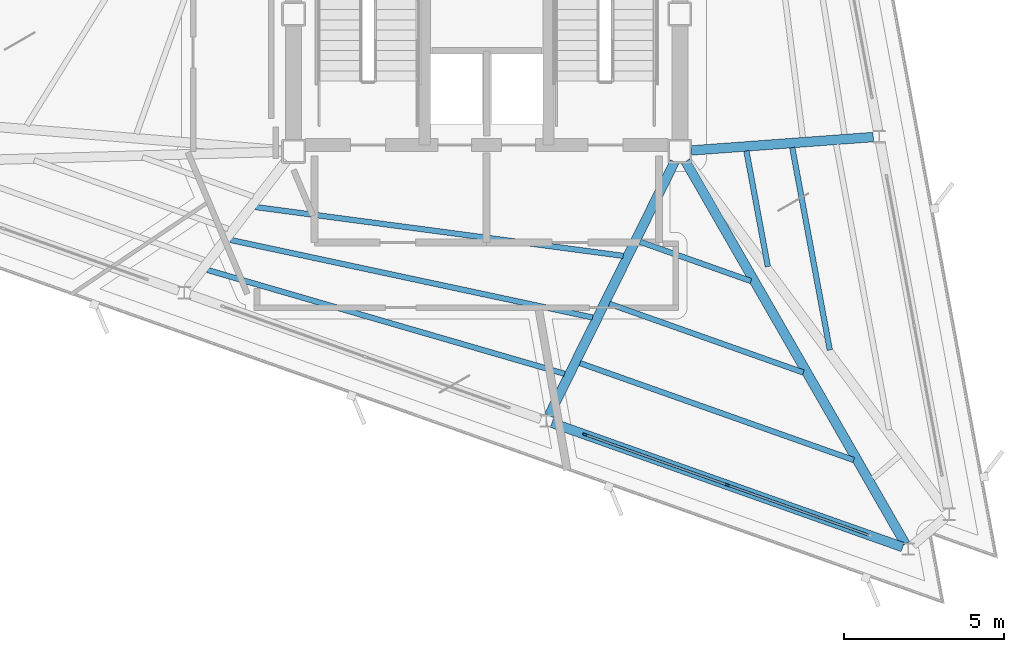
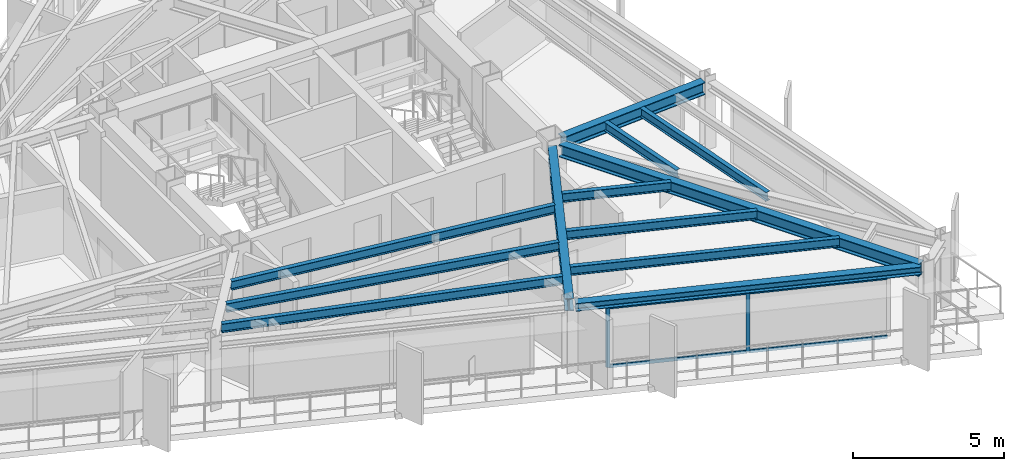
# One storey, part 3 of 14: 12 beams, 6 members, 1 element without a shape of its own.
"""IFC4 building model written with IfcOpenShell, lengths in metres."""

from ifc_helpers import new_model, si_unit, direction, frame, origin, origin_2d, place, context, subcontext, project, spatial, rectangle, i_section, extrude, material, layer, layer_set, material_profile, profile_set, type_object, element, aggregate, save


model = new_model("IFC4")

# Units and contexts
model_context = context("Model", 3, precision=1e-05, world=origin(), true_north=direction((0.0, 1.0)))
body_context = subcontext(model_context, "Body", "Model", "MODEL_VIEW")
ifc_project = project(units=[si_unit("LENGTHUNIT", "METRE"), si_unit("AREAUNIT", "SQUARE_METRE"), si_unit("VOLUMEUNIT", "CUBIC_METRE"), si_unit("PLANEANGLEUNIT", "RADIAN"), si_unit("MASSUNIT", "GRAM", prefix="KILO")], contexts=[model_context])

# Site, building, storey
site_placement = place(None, origin())
site = spatial("IfcSite", under=ifc_project, at=site_placement, CompositionType="ELEMENT")
building_placement = place(site_placement, origin())
building = spatial("IfcBuilding", under=site, at=building_placement, Name="Rocaltana Carrier Exchange", CompositionType="ELEMENT")
storey_placement = place(building_placement, frame((0.0, 0.0, 184.47998046875)))
storey = spatial("IfcBuildingStorey", under=building, at=storey_placement, Name="L58", CompositionType="ELEMENT", Elevation=184.47998046875)

# Curtain wall, members
ifc_material_1 = material(Name="Aluminium 6063-T6", Category="aluminium")
ifc_layer = layer(ifc_material_1, 0.135009765625)
ifc_layer_set = layer_set([ifc_layer], Name="Aluminium 6063-T6")
curtain_wall_type = type_object("IfcCurtainWallType", Name="Upper-Mid Acoustic Curtain Wall CW-04", PredefinedType="NOTDEFINED", material=ifc_layer_set)
curtain_wall_placement = place(storey_placement, origin())
curtain_wall = element("IfcCurtainWall", 1, at=curtain_wall_placement, inside=storey, type_object=curtain_wall_type, Name="L58 CW-04 Run CW-L58-F3S3", PredefinedType="NOTDEFINED")
ifc_material_2 = material(Name="Aluminium 6063-T6", Category="aluminium")
ifc_material_profile_1 = material_profile(ifc_material_2, rectangle(XDim=0.06494140625, YDim=0.135009765625, at=origin_2d()), Name="AL-65X135")
ifc_profile_set_1 = profile_set([ifc_material_profile_1], Name="Aluminium 6063-T6")
member_type_1 = type_object("IfcMemberType", Name="CW-04 Mullion AL-65X135", PredefinedType="MULLION", material=ifc_profile_set_1)
member_1_placement = place(storey_placement, frame((3.0771484375, -13.177001953125, 0.0), z_axis=(0.0, 0.0, 1.0), x_axis=(0.333798791936, 0.942644347833, 0.0)))
member_1 = element("IfcMember", 2, at=member_1_placement, type_object=member_type_1, Name="CW-04 mullion 1", PredefinedType="MULLION", context=body_context, shape_type="SweptSolid", body=[
    extrude(rectangle(XDim=0.06494140625, YDim=0.135009765625, at=origin_2d()), origin(), (0.0, 0.0, 1.0), 2.447998046875),
])
member_2_placement = place(storey_placement, frame((7.539794921875, -14.757080078125, 0.0), z_axis=(0.0, 0.0, 1.0), x_axis=(0.333798791936, 0.942644347833, 0.0)))
member_2 = element("IfcMember", 3, at=member_2_placement, type_object=member_type_1, Name="CW-04 mullion 2", PredefinedType="MULLION", context=body_context, shape_type="SweptSolid", body=[
    extrude(rectangle(XDim=0.06494140625, YDim=0.135009765625, at=origin_2d()), origin(), (0.0, 0.0, 1.0), 2.447998046875),
])
ifc_material_3 = material(Name="Aluminium 6063-T6", Category="aluminium")
ifc_material_profile_2 = material_profile(ifc_material_3, rectangle(XDim=0.06494140625, YDim=0.135009765625, at=origin_2d()), Name="AL-65X135")
ifc_profile_set_2 = profile_set([ifc_material_profile_2], Name="Aluminium 6063-T6")
member_type_2 = type_object("IfcMemberType", Name="CW-04 Transom AL-65X135", PredefinedType="USERDEFINED", material=ifc_profile_set_2)
member_3_placement = place(storey_placement, frame((3.107666015625, -13.187744140625, 0.032470703125), z_axis=(0.942642307572, -0.333804553558, 0.0), x_axis=(0.333804553558, 0.942642307572, 0.0)))
member_3 = element("IfcMember", 4, at=member_3_placement, type_object=member_type_2, Name="CW-04 transom 1.1", ObjectType="TRANSOM", PredefinedType="USERDEFINED", context=body_context, shape_type="SweptSolid", body=[
    extrude(rectangle(XDim=0.06494140625, YDim=0.135009765625, at=origin_2d()), origin(), (0.0, 0.0, 1.0), 4.669189453125),
])
member_4_placement = place(storey_placement, frame((3.107666015625, -13.187744140625, 2.41552734375), z_axis=(0.942642307572, -0.333804553558, 0.0), x_axis=(0.333804553558, 0.942642307572, 0.0)))
member_4 = element("IfcMember", 5, at=member_4_placement, type_object=member_type_2, Name="CW-04 transom 1.2", ObjectType="TRANSOM", PredefinedType="USERDEFINED", context=body_context, shape_type="SweptSolid", body=[
    extrude(rectangle(XDim=0.06494140625, YDim=0.135009765625, at=origin_2d()), origin(), (0.0, 0.0, 1.0), 4.669189453125),
])
member_5_placement = place(storey_placement, frame((7.5703125, -14.76806640625, 0.032470703125), z_axis=(0.942642307572, -0.333804553558, 0.0), x_axis=(0.333804553558, 0.942642307572, 0.0)))
member_5 = element("IfcMember", 6, at=member_5_placement, type_object=member_type_2, Name="CW-04 transom 2.1", ObjectType="TRANSOM", PredefinedType="USERDEFINED", context=body_context, shape_type="SweptSolid", body=[
    extrude(rectangle(XDim=0.06494140625, YDim=0.135009765625, at=origin_2d()), origin(), (0.0, 0.0, 1.0), 4.669189453125),
])
member_6_placement = place(storey_placement, frame((7.5703125, -14.76806640625, 2.41552734375), z_axis=(0.942642307572, -0.333804553558, 0.0), x_axis=(0.333804553558, 0.942642307572, 0.0)))
member_6 = element("IfcMember", 7, at=member_6_placement, type_object=member_type_2, Name="CW-04 transom 2.2", ObjectType="TRANSOM", PredefinedType="USERDEFINED", context=body_context, shape_type="SweptSolid", body=[
    extrude(rectangle(XDim=0.06494140625, YDim=0.135009765625, at=origin_2d()), origin(), (0.0, 0.0, 1.0), 4.669189453125),
])
aggregate(curtain_wall, [member_1, member_2, member_3, member_4, member_5, member_6])

# Beams
ifc_material_4 = material(Name="Steel S355", Category="steel")
ifc_material_profile_3 = material_profile(ifc_material_4, i_section(OverallWidth=0.172119140625, OverallDepth=0.35791015625, WebThickness=0.0078125, FlangeThickness=0.01318359375, FilletRadius=0.011962890625, at=origin_2d()), Name="W14X38")
ifc_profile_set_3 = profile_set([ifc_material_profile_3], Name="Steel S355")
beam_type_1 = type_object("IfcBeamType", Name="Floor Joist W14X38", PredefinedType="JOIST", material=ifc_profile_set_3)
beam_1_placement = place(storey_placement, frame((8.809814453125, -7.910888671875, 2.619140625), z_axis=(-0.182226934398, 0.98325649979, 0.0), x_axis=(-0.98325649979, -0.182226934398, 0.0)))
element("IfcBeam", 8, at=beam_1_placement, inside=storey, type_object=beam_type_1, Name="FJ-L58-01-1", PredefinedType="JOIST", context=body_context, shape_type="SweptSolid", body=[
    extrude(i_section(OverallWidth=0.172119140625, OverallDepth=0.35791015625, WebThickness=0.0078125, FlangeThickness=0.01318359375, FilletRadius=0.011962890625, at=origin_2d()), origin(), (0.0, 0.0, 1.0), 3.68310546875),
])
beam_2_placement = place(storey_placement, frame((10.751708984375, -10.5263671875, 2.619140625), z_axis=(-0.18226814906, 0.983248860583, 0.0), x_axis=(-0.983248860583, -0.18226814906, 0.0)))
element("IfcBeam", 9, at=beam_2_placement, inside=storey, type_object=beam_type_1, Name="FJ-L58-01-2", PredefinedType="JOIST", context=body_context, shape_type="SweptSolid", body=[
    extrude(i_section(OverallWidth=0.172119140625, OverallDepth=0.35791015625, WebThickness=0.0078125, FlangeThickness=0.01318359375, FilletRadius=0.011962890625, at=origin_2d()), origin(), (0.0, 0.0, 1.0), 6.450927734375),
])
beam_3_placement = place(storey_placement, frame((-7.242919921875, -6.04736328125, 2.619140625), z_axis=(0.991307721648, -0.131563676599, 0.0), x_axis=(0.131563676599, 0.991307721648, 0.0)))
element("IfcBeam", 10, at=beam_3_placement, inside=storey, type_object=beam_type_1, Name="FJ-L58-10-1", PredefinedType="JOIST", context=body_context, shape_type="SweptSolid", body=[
    extrude(i_section(OverallWidth=0.172119140625, OverallDepth=0.35791015625, WebThickness=0.0078125, FlangeThickness=0.01318359375, FilletRadius=0.011962890625, at=origin_2d()), origin(), (0.0, 0.0, 1.0), 11.620361328125),
])
beam_4_placement = place(storey_placement, frame((-8.03271484375, -7.077880859375, 2.619140625), z_axis=(0.977833801709, -0.209382559528, 0.0), x_axis=(0.209382559528, 0.977833801709, 0.0)))
element("IfcBeam", 11, at=beam_4_placement, inside=storey, type_object=beam_type_1, Name="FJ-L58-10-2", PredefinedType="JOIST", context=body_context, shape_type="SweptSolid", body=[
    extrude(i_section(OverallWidth=0.172119140625, OverallDepth=0.35791015625, WebThickness=0.0078125, FlangeThickness=0.01318359375, FilletRadius=0.011962890625, at=origin_2d()), origin(), (0.0, 0.0, 1.0), 11.6064453125),
])
beam_5_placement = place(storey_placement, frame((-8.75439453125, -8.018798828125, 2.619140625), z_axis=(0.960273483181, -0.279060634091, 0.0), x_axis=(0.279060634091, 0.960273483181, 0.0)))
element("IfcBeam", 12, at=beam_5_placement, inside=storey, type_object=beam_type_1, Name="FJ-L58-10-3", PredefinedType="JOIST", context=body_context, shape_type="SweptSolid", body=[
    extrude(i_section(OverallWidth=0.172119140625, OverallDepth=0.35791015625, WebThickness=0.0078125, FlangeThickness=0.01318359375, FilletRadius=0.011962890625, at=origin_2d()), origin(), (0.0, 0.0, 1.0), 11.658447265625),
])
beam_6_placement = place(storey_placement, frame((4.8056640625, -7.13623046875, 2.619140625), z_axis=(0.942660683234, -0.333752657344, 0.0), x_axis=(0.333752657344, 0.942660683234, 0.0)))
element("IfcBeam", 13, at=beam_6_placement, inside=storey, type_object=beam_type_1, Name="FJ-L58-11-1", PredefinedType="JOIST", context=body_context, shape_type="SweptSolid", body=[
    extrude(i_section(OverallWidth=0.172119140625, OverallDepth=0.35791015625, WebThickness=0.0078125, FlangeThickness=0.01318359375, FilletRadius=0.011962890625, at=origin_2d()), origin(), (0.0, 0.0, 1.0), 3.68310546875),
])
beam_7_placement = place(storey_placement, frame((3.843994140625, -9.079345703125, 2.619140625), z_axis=(0.942637646352, -0.333817716246, 0.0), x_axis=(0.333817716246, 0.942637646352, 0.0)))
element("IfcBeam", 14, at=beam_7_placement, inside=storey, type_object=beam_type_1, Name="FJ-L58-11-2", PredefinedType="JOIST", context=body_context, shape_type="SweptSolid", body=[
    extrude(i_section(OverallWidth=0.172119140625, OverallDepth=0.35791015625, WebThickness=0.0078125, FlangeThickness=0.01318359375, FilletRadius=0.011962890625, at=origin_2d()), origin(), (0.0, 0.0, 1.0), 6.45068359375),
])
beam_8_placement = place(storey_placement, frame((2.923828125, -10.93798828125, 2.619140625), z_axis=(0.942637076776, -0.333819324616, 0.0), x_axis=(0.333819324616, 0.942637076776, 0.0)))
element("IfcBeam", 15, at=beam_8_placement, inside=storey, type_object=beam_type_1, Name="FJ-L58-11-3", PredefinedType="JOIST", context=body_context, shape_type="SweptSolid", body=[
    extrude(i_section(OverallWidth=0.172119140625, OverallDepth=0.35791015625, WebThickness=0.0078125, FlangeThickness=0.01318359375, FilletRadius=0.011962890625, at=origin_2d()), origin(), (0.0, 0.0, 1.0), 9.09814453125),
])
ifc_material_5 = material(Name="Steel S355", Category="steel")
ifc_material_profile_4 = material_profile(ifc_material_5, i_section(OverallWidth=0.300048828125, OverallDepth=0.320068359375, WebThickness=0.011474609375, FlangeThickness=0.0205078125, FilletRadius=0.027099609375, at=origin_2d()), Name="HEB320")
ifc_profile_set_4 = profile_set([ifc_material_profile_4], Name="Steel S355")
beam_type_2 = type_object("IfcBeamType", Name="Spandrel Edge Beam HEB320", PredefinedType="SPANDREL", material=ifc_profile_set_4)
beam_9_placement = place(storey_placement, frame((2.043212890625, -12.810791015625, 2.637939453125), z_axis=(0.942643145042, -0.333802188587, 0.0), x_axis=(0.333802188587, 0.942643145042, 0.0)))
element("IfcBeam", 16, at=beam_9_placement, inside=storey, type_object=beam_type_2, Name="SP-L58-11", PredefinedType="SPANDREL", context=body_context, shape_type="SweptSolid", body=[
    extrude(i_section(OverallWidth=0.300048828125, OverallDepth=0.320068359375, WebThickness=0.011474609375, FlangeThickness=0.0205078125, FilletRadius=0.027099609375, at=origin_2d()), origin(), (0.0, 0.0, 1.0), 11.662109375),
])
ifc_material_6 = material(Name="Steel S355", Category="steel")
ifc_material_profile_5 = material_profile(ifc_material_6, i_section(OverallWidth=0.300048828125, OverallDepth=0.5, WebThickness=0.014404296875, FlangeThickness=0.028076171875, FilletRadius=0.027099609375, at=origin_2d()), Name="HEB500")
ifc_profile_set_5 = profile_set([ifc_material_profile_5], Name="Steel S355")
beam_type_3 = type_object("IfcBeamType", Name="Upper Radial Girder HEB500", PredefinedType="BEAM", material=ifc_profile_set_5)
beam_10_placement = place(storey_placement, frame((6.416015625, -4.27294921875, 2.548095703125), z_axis=(0.997295894511, 0.07349080753, 0.0), x_axis=(-0.07349080753, 0.997295894511, 0.0)))
element("IfcBeam", 17, at=beam_10_placement, inside=storey, type_object=beam_type_3, Name="RG-L58-02", PredefinedType="BEAM", context=body_context, shape_type="SweptSolid", body=[
    extrude(i_section(OverallWidth=0.300048828125, OverallDepth=0.5, WebThickness=0.014404296875, FlangeThickness=0.028076171875, FilletRadius=0.027099609375, at=origin_2d()), origin(), (0.0, 0.0, 1.0), 5.7138671875),
])
beam_11_placement = place(storey_placement, frame((5.88720703125, -4.62890625, 2.548095703125), z_axis=(-0.443600626988, -0.896224572156, 0.0), x_axis=(0.896224572156, -0.443600626988, 0.0)))
element("IfcBeam", 18, at=beam_11_placement, inside=storey, type_object=beam_type_3, Name="RG-L58-11", PredefinedType="BEAM", context=body_context, shape_type="SweptSolid", body=[
    extrude(i_section(OverallWidth=0.300048828125, OverallDepth=0.5, WebThickness=0.014404296875, FlangeThickness=0.028076171875, FilletRadius=0.027099609375, at=origin_2d()), origin(), (0.0, 0.0, 1.0), 8.87451171875),
])
beam_12_placement = place(storey_placement, frame((6.23291015625, -4.6181640625, 2.548095703125), z_axis=(0.498128981012, -0.867102945604, 0.0), x_axis=(0.867102945604, 0.498128981012, 0.0)))
element("IfcBeam", 19, at=beam_12_placement, inside=storey, type_object=beam_type_3, Name="RG-L58-12", PredefinedType="BEAM", context=body_context, shape_type="SweptSolid", body=[
    extrude(i_section(OverallWidth=0.300048828125, OverallDepth=0.5, WebThickness=0.014404296875, FlangeThickness=0.028076171875, FilletRadius=0.027099609375, at=origin_2d()), origin(), (0.0, 0.0, 1.0), 13.82373046875),
])

save(model, "model.ifc")
